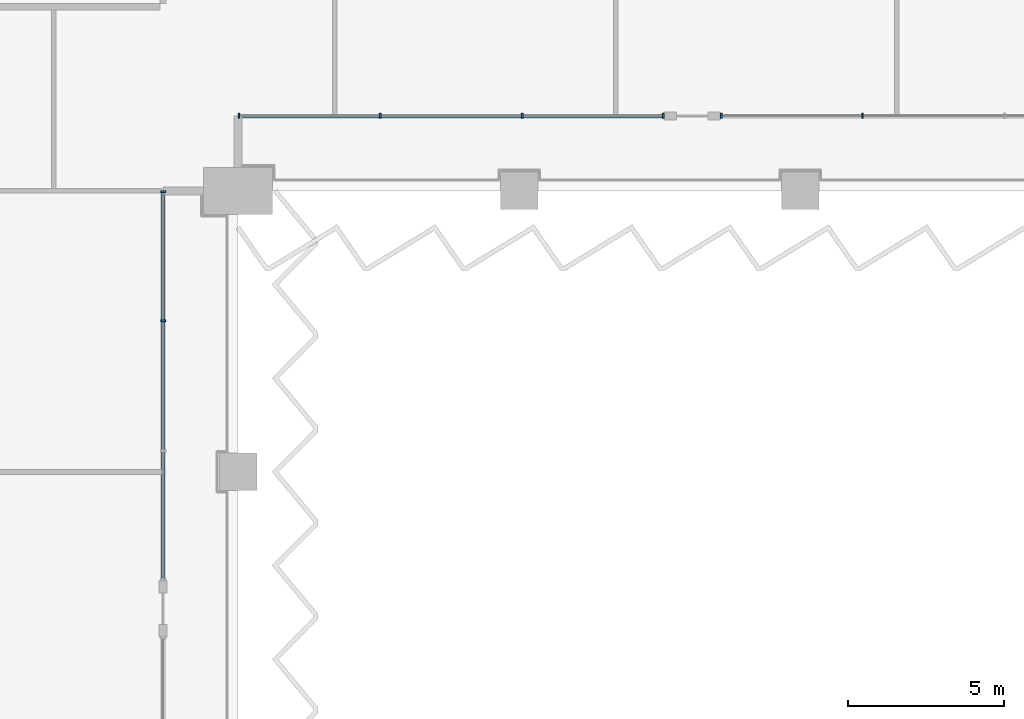
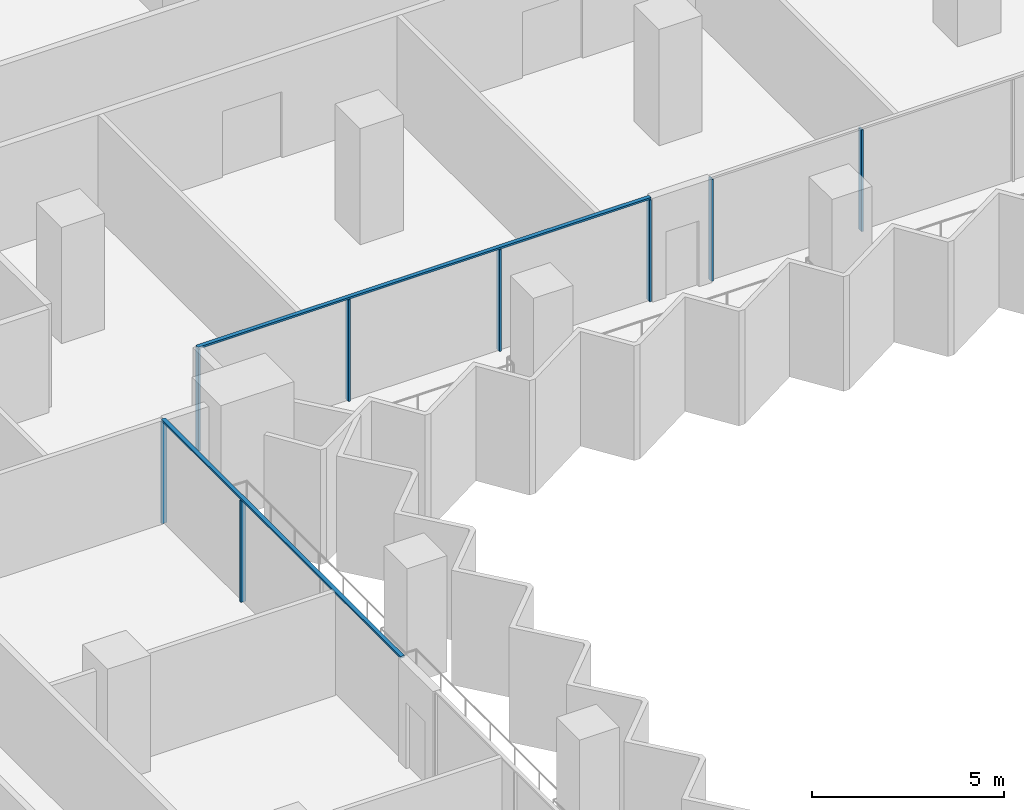
# One storey, part 4 of 22: 10 members, 3 elements without a shape of their own.
"""IFC4 building model written with IfcOpenShell, lengths in metres."""

from ifc_helpers import new_model, si_unit, direction, frame, origin, origin_2d, place, context, subcontext, project, spatial, rectangle, extrude, material, material_profile, profile_set, type_object, element, aggregate, save


model = new_model("IFC4")

# Units and contexts
model_context = context("Model", 3, precision=1e-05, world=origin(), true_north=direction((0.0, 1.0)))
body_context = subcontext(model_context, "Body", "Model", "MODEL_VIEW")
ifc_project = project(units=[si_unit("LENGTHUNIT", "METRE"), si_unit("AREAUNIT", "SQUARE_METRE"), si_unit("VOLUMEUNIT", "CUBIC_METRE"), si_unit("PLANEANGLEUNIT", "RADIAN"), si_unit("MASSUNIT", "GRAM", prefix="KILO")], contexts=[model_context])

# Site, building, storey
site_placement = place(None, origin())
site = spatial("IfcSite", under=ifc_project, at=site_placement, CompositionType="ELEMENT")
building_placement = place(site_placement, origin())
building = spatial("IfcBuilding", under=site, at=building_placement, Name="Hunhe Ridgeline Campus", CompositionType="ELEMENT")
storey_placement = place(building_placement, frame((0.0, 0.0, 84.800048828125)))
storey = spatial("IfcBuildingStorey", under=building, at=storey_placement, Name="L20", CompositionType="ELEMENT", Elevation=84.800048828125)

# Curtain wall, members
ifc_material = material(Name="Aluminium 6063", Category="aluminium")
curtain_wall_type = type_object("IfcCurtainWallType", Name="Curtain wall CW-1", PredefinedType="NOTDEFINED", material=ifc_material)
curtain_wall_1_placement = place(storey_placement, origin())
curtain_wall_1 = element("IfcCurtainWall", 1, at=curtain_wall_1_placement, inside=storey, type_object=curtain_wall_type, Name="Curtain wall 12", PredefinedType="NOTDEFINED")
ifc_material_profile_1 = material_profile(ifc_material, rectangle(XDim=0.159912109375, YDim=0.06005859375, at=origin_2d()))
ifc_profile_set_1 = profile_set([ifc_material_profile_1], Name="Aluminium 6063")
member_type_1 = type_object("IfcMemberType", Name="CW-1 aluminium mullion", PredefinedType="MULLION", material=ifc_profile_set_1)
member_1_placement = place(storey_placement, frame((42.599365234375, 49.840087890625, 0.0), z_axis=(0.0, 0.0, 1.0), x_axis=(-0.99999999994, 1.0975712e-05, 0.0)))
member_1 = element("IfcMember", 2, at=member_1_placement, type_object=member_type_1, Name="CW-1 mullion 3", PredefinedType="MULLION", context=body_context, shape_type="SweptSolid", body=[
    extrude(rectangle(XDim=0.159912109375, YDim=0.06005859375, at=origin_2d()), origin(), (0.0, 0.0, 1.0), 3.239990234375),
])
member_2_placement = place(storey_placement, frame((42.599365234375, 53.970703125, 0.0), z_axis=(0.0, 0.0, 1.0), x_axis=(-0.99999999994, 1.0975712e-05, 0.0)))
member_2 = element("IfcMember", 3, at=member_2_placement, type_object=member_type_1, Name="CW-1 mullion 4", PredefinedType="MULLION", context=body_context, shape_type="SweptSolid", body=[
    extrude(rectangle(XDim=0.159912109375, YDim=0.06005859375, at=origin_2d()), origin(), (0.0, 0.0, 1.0), 3.239990234375),
])

curtain_wall_2_placement = place(storey_placement, origin())
curtain_wall_2 = element("IfcCurtainWall", 4, at=curtain_wall_2_placement, inside=storey, type_object=curtain_wall_type, Name="Curtain wall 13", PredefinedType="NOTDEFINED")
member_3_placement = place(storey_placement, frame((45.02978515625, 56.40087890625, 0.0), z_axis=(0.0, 0.0, 1.0), x_axis=(-1.4652e-07, 1.0, 0.0)))
member_3 = element("IfcMember", 5, at=member_3_placement, type_object=member_type_1, Name="CW-1 mullion 1", PredefinedType="MULLION", context=body_context, shape_type="SweptSolid", body=[
    extrude(rectangle(XDim=0.159912109375, YDim=0.06005859375, at=origin_2d()), origin(), (0.0, 0.0, 1.0), 3.239990234375),
])
member_4_placement = place(storey_placement, frame((49.5498046875, 56.40087890625, 0.0), z_axis=(0.0, 0.0, 1.0), x_axis=(-1.4652e-07, 1.0, 0.0)))
member_4 = element("IfcMember", 6, at=member_4_placement, type_object=member_type_1, Name="CW-1 mullion 2", PredefinedType="MULLION", context=body_context, shape_type="SweptSolid", body=[
    extrude(rectangle(XDim=0.159912109375, YDim=0.06005859375, at=origin_2d()), origin(), (0.0, 0.0, 1.0), 3.239990234375),
])
member_5_placement = place(storey_placement, frame((54.099609375, 56.40087890625, 0.0), z_axis=(0.0, 0.0, 1.0), x_axis=(-1.4652e-07, 1.0, 0.0)))
member_5 = element("IfcMember", 7, at=member_5_placement, type_object=member_type_1, Name="CW-1 mullion 3", PredefinedType="MULLION", context=body_context, shape_type="SweptSolid", body=[
    extrude(rectangle(XDim=0.159912109375, YDim=0.06005859375, at=origin_2d()), origin(), (0.0, 0.0, 1.0), 3.239990234375),
])
member_6_placement = place(storey_placement, frame((58.619384765625, 56.40087890625, 0.0), z_axis=(0.0, 0.0, 1.0), x_axis=(-1.4652e-07, 1.0, 0.0)))
member_6 = element("IfcMember", 8, at=member_6_placement, type_object=member_type_1, Name="CW-1 mullion 4", PredefinedType="MULLION", context=body_context, shape_type="SweptSolid", body=[
    extrude(rectangle(XDim=0.159912109375, YDim=0.06005859375, at=origin_2d()), origin(), (0.0, 0.0, 1.0), 3.239990234375),
])

curtain_wall_3_placement = place(storey_placement, origin())
curtain_wall_3 = element("IfcCurtainWall", 9, at=curtain_wall_3_placement, inside=storey, type_object=curtain_wall_type, Name="Curtain wall 14", PredefinedType="NOTDEFINED")
member_7_placement = place(storey_placement, frame((60.4794921875, 56.40087890625, 0.0), z_axis=(0.0, 0.0, 1.0), x_axis=(-1.4652e-07, 1.0, 0.0)))
member_7 = element("IfcMember", 10, at=member_7_placement, type_object=member_type_1, Name="CW-1 mullion 1", PredefinedType="MULLION", context=body_context, shape_type="SweptSolid", body=[
    extrude(rectangle(XDim=0.159912109375, YDim=0.06005859375, at=origin_2d()), origin(), (0.0, 0.0, 1.0), 3.239990234375),
])
member_8_placement = place(storey_placement, frame((64.999267578125, 56.40087890625, 0.0), z_axis=(0.0, 0.0, 1.0), x_axis=(-1.4652e-07, 1.0, 0.0)))
member_8 = element("IfcMember", 11, at=member_8_placement, type_object=member_type_1, Name="CW-1 mullion 2", PredefinedType="MULLION", context=body_context, shape_type="SweptSolid", body=[
    extrude(rectangle(XDim=0.159912109375, YDim=0.06005859375, at=origin_2d()), origin(), (0.0, 0.0, 1.0), 3.239990234375),
])
aggregate(curtain_wall_3, [member_7, member_8])

# Member
ifc_material_profile_2 = material_profile(ifc_material, rectangle(XDim=0.1201171875, YDim=0.06005859375, at=origin_2d()))
ifc_profile_set_2 = profile_set([ifc_material_profile_2], Name="Aluminium 6063")
member_type_2 = type_object("IfcMemberType", Name="CW-1 aluminium transom", PredefinedType="USERDEFINED", material=ifc_profile_set_2)
member_9_placement = place(storey_placement, frame((42.59912109375, 41.5185546875, 3.27001953125), z_axis=(1.9559137e-05, 0.999999999809, 0.0), x_axis=(-0.999999999809, 1.9559137e-05, 0.0)))
member_9 = element("IfcMember", 12, at=member_9_placement, type_object=member_type_2, Name="CW-1 transom 1", ObjectType="TRANSOM", PredefinedType="USERDEFINED", context=body_context, shape_type="SweptSolid", body=[
    extrude(rectangle(XDim=0.1201171875, YDim=0.06005859375, at=origin_2d()), origin(), (0.0, 0.0, 1.0), 12.482177734375),
])

aggregate(curtain_wall_1, [member_9, member_1, member_2])

member_10_placement = place(storey_placement, frame((45.0, 56.40087890625, 3.27001953125), z_axis=(1.0, 0.0, 0.0), x_axis=(0.0, 1.0, 0.0)))
member_10 = element("IfcMember", 13, at=member_10_placement, type_object=member_type_2, Name="CW-1 transom 1", ObjectType="TRANSOM", PredefinedType="USERDEFINED", context=body_context, shape_type="SweptSolid", body=[
    extrude(rectangle(XDim=0.1201171875, YDim=0.06005859375, at=origin_2d()), origin(), (0.0, 0.0, 1.0), 13.6494140625),
])

aggregate(curtain_wall_2, [member_10, member_3, member_4, member_5, member_6])

save(model, "model.ifc")
